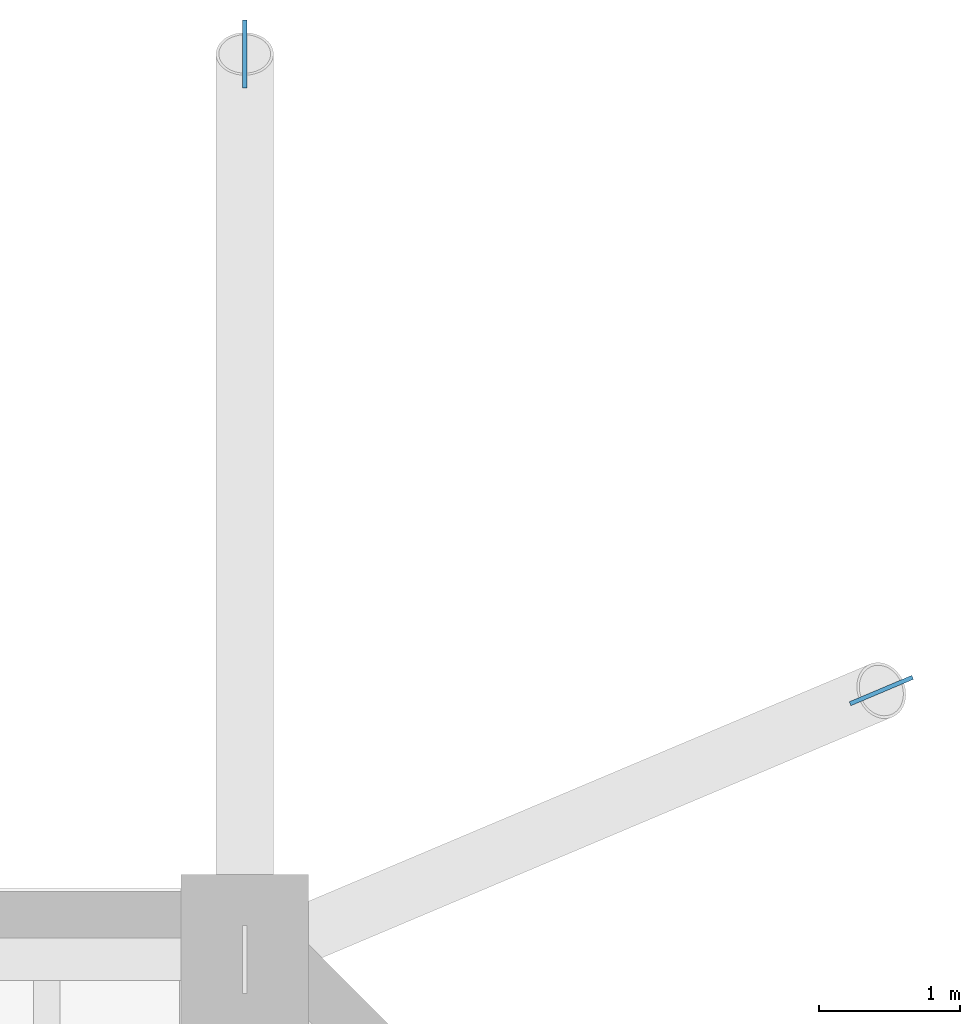
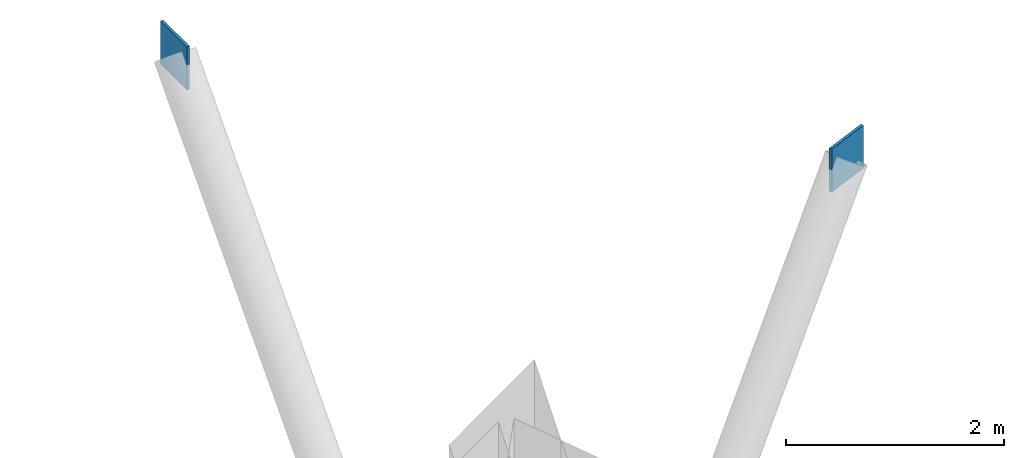
# One storey, part 4 of 12: 2 plates.
"""IFC4 building model written with IfcOpenShell, lengths in metres."""

from ifc_helpers import new_model, si_unit, direction, frame, origin, origin_2d, place, context, subcontext, project, spatial, rectangle, extrude, material, layer, layer_set, type_object, element, save


model = new_model("IFC4")

# Units and contexts
model_context = context("Model", 3, precision=1e-05, world=origin(), true_north=direction((0.0, 1.0)))
body_context = subcontext(model_context, "Body", "Model", "MODEL_VIEW")
ifc_project = project(units=[si_unit("LENGTHUNIT", "METRE"), si_unit("AREAUNIT", "SQUARE_METRE"), si_unit("VOLUMEUNIT", "CUBIC_METRE"), si_unit("PLANEANGLEUNIT", "RADIAN"), si_unit("MASSUNIT", "GRAM", prefix="KILO")], contexts=[model_context])

# Site, building, storey
site_placement = place(None, origin())
site = spatial("IfcSite", under=ifc_project, at=site_placement, CompositionType="ELEMENT")
building_placement = place(site_placement, origin())
building = spatial("IfcBuilding", under=site, at=building_placement, Name="Kranthara Brick Stack", CompositionType="ELEMENT")
storey_placement = place(building_placement, frame((0.0, 0.0, 67.199951171875)))
storey = spatial("IfcBuildingStorey", under=building, at=storey_placement, Name="L16", CompositionType="ELEMENT", Elevation=67.199951171875)

# Plates
ifc_material = material(Name="Steel S355", Category="steel")
ifc_layer = layer(ifc_material, 0.030029296875)
ifc_layer_set = layer_set([ifc_layer], Name="Steel S355")
plate_type = type_object("IfcPlateType", Name="PLT-GUSSET-30", PredefinedType="USERDEFINED", material=ifc_layer_set)
for number, where, z_axis, x_axis, name in (
    (1, (50.699951171875, 52.39990234375, 2.91015625), (0.0, 0.0, 1.0), (0.0, 1.0, 0.0), "L16 Brace and Strut End Connection Gusset Plate 032"),
    (2, (55.199951171875, 47.89990234375, 2.91015625), (0.0, 0.0, 1.0), (0.921185405566, 0.38912395014, 0.0), "L16 Brace and Strut End Connection Gusset Plate 034"),
):
    element("IfcPlate", number, at=place(storey_placement, frame(where, z_axis=z_axis, x_axis=x_axis)), inside=storey, type_object=plate_type, Name=name, ObjectType="GUSSET PLATE", PredefinedType="USERDEFINED", context=body_context, shape_type="SweptSolid", body=[
        extrude(rectangle(XDim=0.47998046875, YDim=0.030029296875, at=origin_2d()), origin(), (0.0, 0.0, 1.0), 0.47998046875),
    ])

save(model, "model.ifc")
